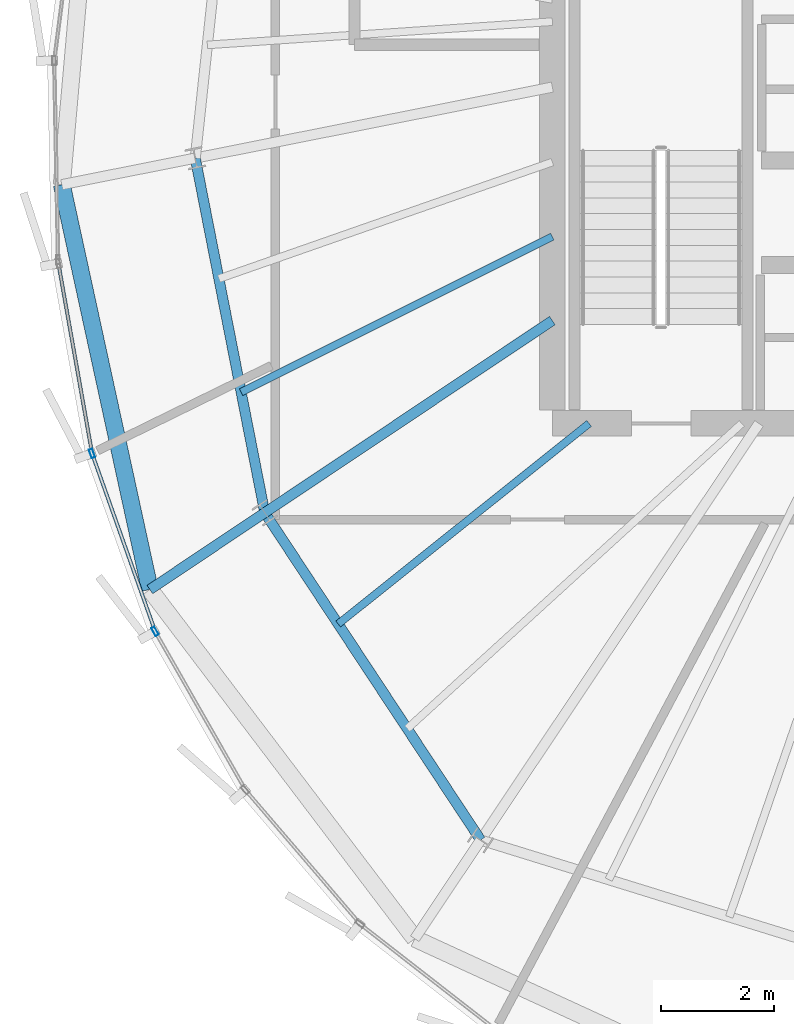
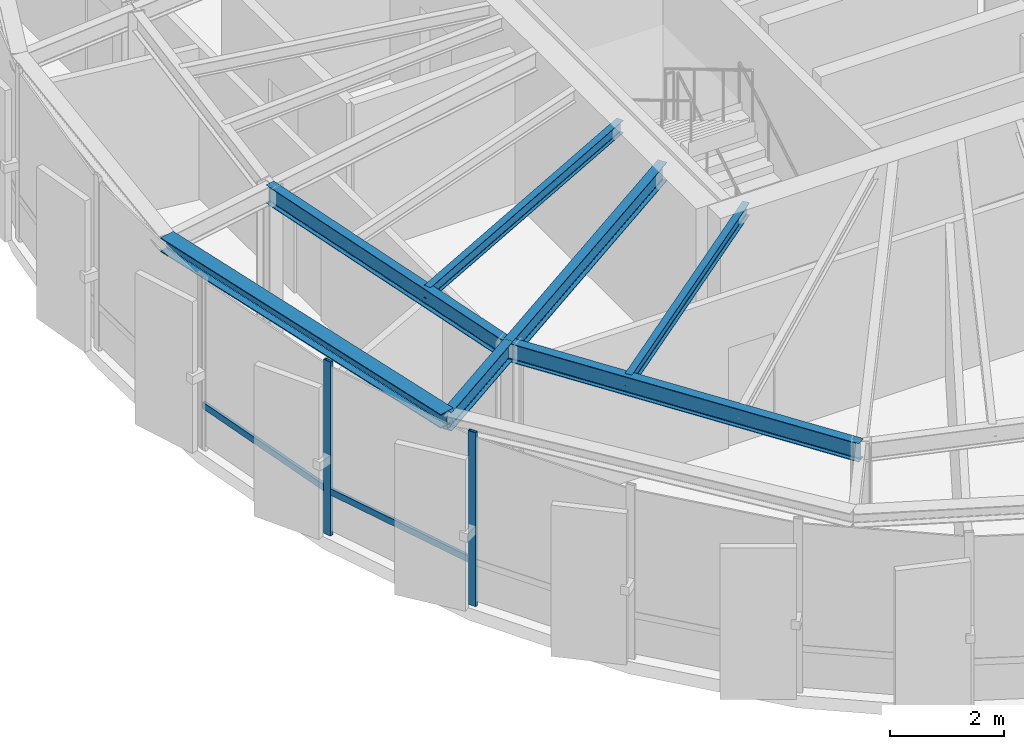
# One storey, part 4 of 26: 7 beams, 4 members, 1 element without a shape of its own.
"""IFC4 building model written with IfcOpenShell, lengths in metres."""

import ifcopenshell
import ifcopenshell.guid

model = None  # the IFC model being written
_history = None  # IfcOwnerHistory: only IFC2X3 demands one
_inside = {}  # id of a spatial element -> (the spatial element, [elements in it])
_under = {}  # id of a project, library or spatial element -> (it, [spatial elements below it])
_declared = {}  # id of a project -> (the project, [libraries it declares])
_typed = {}  # id of a type object -> (the type object, [elements of that type])
_made_of = {}  # id of a material, layer set ... -> (it, [elements and type objects made of it])


def new_model(schema):
    """Start an empty IFC model of exactly this schema.

    Asked for "IFC4X3", IfcOpenShell would pick the latest addendum, in which some entities
    have other attributes; the version numbers below select the first issue.
    IFC2X3 requires an IfcOwnerHistory on every rooted entity: one is made here for all.
    """
    global model, _history
    if schema == "IFC4X3":
        model = ifcopenshell.file(schema_version=(4, 3, 0, 0))
    else:
        model = ifcopenshell.file(schema=schema)
    _inside.clear()
    _under.clear()
    _declared.clear()
    _typed.clear()
    _made_of.clear()
    _history = None
    if model.schema == "IFC2X3":
        org = make("IfcOrganization", Name="unknown")
        user = make(
            "IfcPersonAndOrganization",
            ThePerson=make("IfcPerson", FamilyName="unknown"),
            TheOrganization=org,
        )
        app = make(
            "IfcApplication",
            ApplicationDeveloper=org,
            Version="unknown",
            ApplicationFullName="unknown",
            ApplicationIdentifier="unknown",
        )
        _history = make(
            "IfcOwnerHistory",
            OwningUser=user,
            OwningApplication=app,
            ChangeAction="ADDED",
            CreationDate=0,
        )
    return model


def make(cls, **values):
    """One entity of the class cls with the attributes given. An attribute that is None is left unset."""
    return model.create_entity(
        cls, **{name: value for name, value in values.items() if value is not None}
    )


def rooted(cls, **values):
    """An entity with a GlobalId (a new one), such as an element, a storey or a relation."""
    return make(cls, GlobalId=ifcopenshell.guid.new(), OwnerHistory=_history, **values)


def si_unit(unit_type, name, prefix=None):
    """IfcSIUnit, for example si_unit("LENGTHUNIT", "METRE", prefix="MILLI")."""
    return make("IfcSIUnit", UnitType=unit_type, Prefix=prefix, Name=name)


def assignment(units):
    """IfcUnitAssignment: the units of a project."""
    return None if units is None else make("IfcUnitAssignment", Units=units)


def point(xyz):
    """IfcCartesianPoint."""
    return None if xyz is None else make("IfcCartesianPoint", Coordinates=xyz)


def direction(xyz):
    """IfcDirection."""
    return None if xyz is None else make("IfcDirection", DirectionRatios=xyz)


def frame(location, z_axis=None, x_axis=None):
    """IfcAxis2Placement3D, a coordinate frame: its origin and axes. An axis left out is left unset."""
    return make(
        "IfcAxis2Placement3D",
        Location=point(location),
        Axis=direction(z_axis),
        RefDirection=direction(x_axis),
    )


def frame_2d(location, x_axis=None):
    """IfcAxis2Placement2D, a coordinate frame in the plane: its origin and x axis."""
    return make(
        "IfcAxis2Placement2D", Location=point(location), RefDirection=direction(x_axis)
    )


def origin():
    """The frame at (0, 0, 0) with its axes left unset."""
    return frame((0.0, 0.0, 0.0))


def origin_2d():
    """The frame at (0, 0) in the plane with its x axis left unset."""
    return frame_2d((0.0, 0.0))


def place(relative_to, where):
    """IfcLocalPlacement: puts the frame where relative to a parent placement (None: the world)."""
    return make(
        "IfcLocalPlacement", PlacementRelTo=relative_to, RelativePlacement=where
    )


def context(
    kind, dimensions, precision=None, world=None, true_north=None, identifier=None
):
    """IfcGeometricRepresentationContext, for example the 3D "Model" context."""
    return make(
        "IfcGeometricRepresentationContext",
        ContextIdentifier=identifier,
        ContextType=kind,
        CoordinateSpaceDimension=dimensions,
        Precision=precision,
        WorldCoordinateSystem=world,
        TrueNorth=true_north,
    )


def subcontext(parent, identifier, kind, view, scale=None):
    """IfcGeometricRepresentationSubContext, for example "Body" below "Model"."""
    return make(
        "IfcGeometricRepresentationSubContext",
        ContextIdentifier=identifier,
        ContextType=kind,
        ParentContext=parent,
        TargetScale=scale,
        TargetView=view,
    )


def project(units=None, contexts=None):
    """IfcProject with its units and contexts."""
    return rooted(
        "IfcProject",
        Name="project",
        RepresentationContexts=contexts,
        UnitsInContext=assignment(units),
    )


def spatial(cls, under=None, at=None, **own):
    """A site, building, storey or space (cls), placed at a placement, below another one or the project."""
    s = rooted(cls, ObjectPlacement=at, **own)
    if under is not None:
        _under.setdefault(under.id(), (under, []))[1].append(s)
    return s


def profile(cls, at=None, kind="AREA", **sizes):
    """A parametric profile (cls). Its sizes go by their IFC names, for example OverallWidth=200.0."""
    return make(cls, ProfileType=kind, Position=at, **sizes)


def hollow_rectangle(**sizes):
    """IfcRectangleHollowProfileDef."""
    return profile("IfcRectangleHollowProfileDef", **sizes)


def i_section(**sizes):
    """IfcIShapeProfileDef."""
    return profile("IfcIShapeProfileDef", **sizes)


def extrude(swept, where, along, depth):
    """IfcExtrudedAreaSolid: the profile swept, set in the frame where, extruded along a direction by depth."""
    return make(
        "IfcExtrudedAreaSolid",
        SweptArea=swept,
        Position=where,
        ExtrudedDirection=direction(along),
        Depth=depth,
    )


def shape(context_of_items, identifier, shape_type, items):
    """IfcShapeRepresentation: the items that make up one representation, for example the "Body"."""
    return make(
        "IfcShapeRepresentation",
        ContextOfItems=context_of_items,
        RepresentationIdentifier=identifier,
        RepresentationType=shape_type,
        Items=items,
    )


def source(mapping_origin, context_of_items, identifier, shape_type, items):
    """IfcRepresentationMap: a shape defined once, which mapped items show again and again."""
    return make(
        "IfcRepresentationMap",
        MappingOrigin=mapping_origin,
        MappedRepresentation=shape(context_of_items, identifier, shape_type, items),
    )


def transform(
    local_origin,
    x_axis=None,
    y_axis=None,
    z_axis=None,
    scale=None,
    scale2=None,
    scale3=None,
    uniform=True,
):
    """IfcCartesianTransformationOperator3D, or its non-uniform kind. x_axis, y_axis, z_axis: its Axis1, 2, 3."""
    if uniform:
        return make(
            "IfcCartesianTransformationOperator3D",
            Axis1=direction(x_axis),
            Axis2=direction(y_axis),
            LocalOrigin=point(local_origin),
            Scale=scale,
            Axis3=direction(z_axis),
        )
    return make(
        "IfcCartesianTransformationOperator3DnonUniform",
        Axis1=direction(x_axis),
        Axis2=direction(y_axis),
        LocalOrigin=point(local_origin),
        Scale=scale,
        Axis3=direction(z_axis),
        Scale2=scale2,
        Scale3=scale3,
    )


def mapped(mapping_source, mapping_target):
    """IfcMappedItem: shows the shape of a source again, moved by a transform."""
    return make(
        "IfcMappedItem", MappingSource=mapping_source, MappingTarget=mapping_target
    )


def material(Name=None, Category=None):
    """IfcMaterial."""
    return make("IfcMaterial", Name=Name, Category=Category)


def layer(
    of_material, thickness, ventilated=None, Name=None, Category=None, Priority=None
):
    """IfcMaterialLayer: one layer of a wall or slab, of a material (None: an air gap)."""
    return make(
        "IfcMaterialLayer",
        Material=of_material,
        LayerThickness=thickness,
        IsVentilated=ventilated,
        Name=Name,
        Category=Category,
        Priority=Priority,
    )


def layer_set(layers, Name=None):
    """IfcMaterialLayerSet."""
    return make("IfcMaterialLayerSet", MaterialLayers=layers, LayerSetName=Name)


def material_profile(
    of_material, cross_section, Name=None, Category=None, Priority=None
):
    """IfcMaterialProfile: a cross section and its material."""
    return make(
        "IfcMaterialProfile",
        Name=Name,
        Material=of_material,
        Profile=cross_section,
        Priority=Priority,
        Category=Category,
    )


def profile_set(profiles, Name=None, composite=None):
    """IfcMaterialProfileSet."""
    return make(
        "IfcMaterialProfileSet",
        Name=Name,
        MaterialProfiles=profiles,
        CompositeProfile=composite,
    )


def made_of(thing, what):
    """Note that an element or type object is made of a material, layer set ...; save() writes the relation."""
    if what is not None:
        _made_of.setdefault(what.id(), (what, []))[1].append(thing)
    return thing


def type_object(cls, material=None, **own):
    """A type object (cls), such as IfcWallType, which elements share."""
    return made_of(rooted(cls, **own), material)


def element(
    cls,
    number,
    at=None,
    inside=None,
    cuts=None,
    type_object=None,
    material=None,
    context=None,
    identifier="Body",
    shape_type=None,
    held_by="IfcProductDefinitionShape",
    body=None,
    shapes=None,
    **own,
):
    """One element of the class cls, such as IfcWall. Its Tag is "e" and its number.

    at: its placement. inside: the storey or other place that contains it. cuts: it is an
    opening in that element (IfcRelVoidsElement). A single representation is given by context,
    identifier, shape_type and body (its items); several are given by shapes. held_by: the class
    of the entity that holds the representations. save() writes the other relations.
    """
    e = rooted(cls, Tag="e%d" % number, ObjectPlacement=at, **own)
    if body is not None:
        shapes = [shape(context, identifier, shape_type, body)]
    if shapes is not None:
        e.Representation = make(held_by, Representations=shapes)
    if inside is not None:
        _inside.setdefault(inside.id(), (inside, []))[1].append(e)
    if cuts is not None:
        rooted(
            "IfcRelVoidsElement", RelatingBuildingElement=cuts, RelatedOpeningElement=e
        )
    if type_object is not None:
        _typed.setdefault(type_object.id(), (type_object, []))[1].append(e)
    return made_of(e, material)


def aggregate(whole, parts):
    """IfcRelAggregates: a whole, such as a stair, and the parts it consists of."""
    return rooted("IfcRelAggregates", RelatingObject=whole, RelatedObjects=parts)


def save(model, path):
    """Write the relations noted so far, then the file.

    IfcRelAggregates (storeys below a building ...), IfcRelContainedInSpatialStructure (elements
    in a storey), IfcRelDefinesByType, IfcRelAssociatesMaterial and IfcRelDeclares: one each for
    every whole, place, type object, material and project.
    """
    for whole, parts in _under.values():
        aggregate(whole, parts)
    for where, things in _inside.values():
        rooted(
            "IfcRelContainedInSpatialStructure",
            RelatedElements=things,
            RelatingStructure=where,
        )
    for kind, things in _typed.values():
        rooted("IfcRelDefinesByType", RelatedObjects=things, RelatingType=kind)
    for what, things in _made_of.values():
        rooted("IfcRelAssociatesMaterial", RelatedObjects=things, RelatingMaterial=what)
    for by, libraries in _declared.values():
        rooted("IfcRelDeclares", RelatingContext=by, RelatedDefinitions=libraries)
    model.write(path)


model = new_model("IFC4")

# Units and contexts
model_context = context("Model", 3, precision=1e-05, world=origin(), true_north=direction((0.0, 1.0)))
body_context = subcontext(model_context, "Body", "Model", "MODEL_VIEW")
ifc_project = project(units=[si_unit("LENGTHUNIT", "METRE"), si_unit("AREAUNIT", "SQUARE_METRE"), si_unit("VOLUMEUNIT", "CUBIC_METRE"), si_unit("PLANEANGLEUNIT", "RADIAN"), si_unit("MASSUNIT", "GRAM", prefix="KILO"), si_unit("THERMODYNAMICTEMPERATUREUNIT", "KELVIN")], contexts=[model_context])

# Site, building, storey
site_placement = place(None, origin())
site = spatial("IfcSite", under=ifc_project, at=site_placement, CompositionType="ELEMENT")
building_placement = place(site_placement, origin())
building = spatial("IfcBuilding", under=site, at=building_placement, Name="Kethvar Cultural Tower", CompositionType="ELEMENT")
storey_placement = place(building_placement, frame((0.0, 0.0, 316.300048828125)))
storey = spatial("IfcBuildingStorey", under=building, at=storey_placement, Name="L84", CompositionType="ELEMENT", Elevation=316.300048828125)

# Beams
ifc_material_1 = material(Name="Steel S355J2", Category="steel")
ifc_material_profile_1 = material_profile(ifc_material_1, i_section(OverallWidth=0.135009765625, OverallDepth=0.27001953125, WebThickness=0.006591796875, FlangeThickness=0.01025390625, FilletRadius=0.014892578125, at=origin_2d()), Name="Steel S355J2 — IPE270")
ifc_profile_set_1 = profile_set([ifc_material_profile_1], Name="Steel S355J2 — IPE270")
beam_type_1 = type_object("IfcBeamType", Name="BM-J270", PredefinedType="JOIST", material=ifc_profile_set_1)
shared_shape_1 = source(origin(), body_context, "Body", "SweptSolid", [
    extrude(i_section(OverallWidth=0.135009765625, OverallDepth=0.27001953125, WebThickness=0.006591796875, FlangeThickness=0.01025390625, FilletRadius=0.014892578125, at=origin_2d()), origin(), (0.0, 0.0, 1.0), 6.154052734375),
])
beam_1_placement = place(storey_placement, frame((38.0, 23.40380859375, 3.597900390625), z_axis=(-0.89458581954, -0.446896197655, 0.0), x_axis=(0.446896197655, -0.89458581954, 0.0)))
element("IfcBeam", 1, at=beam_1_placement, inside=storey, type_object=beam_type_1, Name="L84 Composite Floor Joist J-09B", PredefinedType="JOIST", context=body_context, shape_type="MappedRepresentation", body=[
    mapped(shared_shape_1, transform((0.0, 0.0, 0.0), scale=1.0)),
])
shared_shape_2 = source(origin(), body_context, "Body", "SweptSolid", [
    extrude(i_section(OverallWidth=0.135009765625, OverallDepth=0.27001953125, WebThickness=0.006591796875, FlangeThickness=0.01025390625, FilletRadius=0.014892578125, at=origin_2d()), origin(), (0.0, 0.0, 1.0), 5.68212890625),
])
beam_2_placement = place(storey_placement, frame((38.64990234375, 20.10009765625, 3.597900390625), z_axis=(-0.781157957733, -0.624333440615, 0.0), x_axis=(0.624333440615, -0.781157957733, 0.0)))
element("IfcBeam", 2, at=beam_2_placement, inside=storey, type_object=beam_type_1, Name="L84 Composite Floor Joist J-10A", PredefinedType="JOIST", context=body_context, shape_type="MappedRepresentation", body=[
    mapped(shared_shape_2, transform((0.0, 0.0, 0.0), scale=1.0)),
])
ifc_material_profile_2 = material_profile(ifc_material_1, i_section(OverallWidth=0.179931640625, OverallDepth=0.39990234375, WebThickness=0.008544921875, FlangeThickness=0.013427734375, FilletRadius=0.02099609375, at=origin_2d()), Name="Steel S355J2 — IPE400")
ifc_profile_set_2 = profile_set([ifc_material_profile_2], Name="Steel S355J2 — IPE400")
beam_type_2 = type_object("IfcBeamType", Name="BM-IPE400", PredefinedType="BEAM", material=ifc_profile_set_2)
shared_shape_3 = source(origin(), body_context, "Body", "SweptSolid", [
    extrude(i_section(OverallWidth=0.179931640625, OverallDepth=0.39990234375, WebThickness=0.008544921875, FlangeThickness=0.013427734375, FilletRadius=0.02099609375, at=origin_2d()), origin(), (0.0, 0.0, 1.0), 6.118408203125),
])
beam_3_placement = place(storey_placement, frame((38.0, 21.920166015625, 3.532958984375), z_axis=(-0.831466631282, -0.555574694406, 0.0), x_axis=(0.555574694406, -0.831466631282, 0.0)))
element("IfcBeam", 3, at=beam_3_placement, inside=storey, type_object=beam_type_2, Name="L84 Primary Radial Beam RB-10", PredefinedType="BEAM", context=body_context, shape_type="MappedRepresentation", body=[
    mapped(shared_shape_3, transform((0.0, 0.0, 0.0), scale=1.0)),
])
shared_shape_4 = source(origin(), body_context, "Body", "SweptSolid", [
    extrude(i_section(OverallWidth=0.179931640625, OverallDepth=0.39990234375, WebThickness=0.008544921875, FlangeThickness=0.013427734375, FilletRadius=0.02099609375, at=origin_2d()), origin(), (0.0, 0.0, 1.0), 6.391357421875),
])
beam_4_placement = place(storey_placement, frame((31.68310546875, 24.79296875, 3.532958984375), z_axis=(0.192405084368, -0.981315588131, 0.0), x_axis=(0.981315588131, 0.192405084368, 0.0)))
element("IfcBeam", 4, at=beam_4_placement, inside=storey, type_object=beam_type_2, Name="L84 Column Ring Tie Beam CR-09", PredefinedType="BEAM", context=body_context, shape_type="MappedRepresentation", body=[
    mapped(shared_shape_4, transform((0.0, 0.0, 0.0), scale=1.0)),
])
shared_shape_5 = source(origin(), body_context, "Body", "SweptSolid", [
    extrude(i_section(OverallWidth=0.179931640625, OverallDepth=0.39990234375, WebThickness=0.008544921875, FlangeThickness=0.013427734375, FilletRadius=0.02099609375, at=origin_2d()), origin(), (0.0, 0.0, 1.0), 6.935791015625),
])
beam_5_placement = place(storey_placement, frame((32.912841796875, 18.52099609375, 3.532958984375), z_axis=(0.550534204139, -0.834812607759, 0.0), x_axis=(0.834812607759, 0.550534204139, 0.0)))
element("IfcBeam", 5, at=beam_5_placement, inside=storey, type_object=beam_type_2, Name="L84 Column Ring Tie Beam CR-10", PredefinedType="BEAM", context=body_context, shape_type="MappedRepresentation", body=[
    mapped(shared_shape_5, transform((0.0, 0.0, 0.0), scale=1.0)),
])
shared_shape_6 = source(origin(), body_context, "Body", "SweptSolid", [
    extrude(i_section(OverallWidth=0.179931640625, OverallDepth=0.39990234375, WebThickness=0.008544921875, FlangeThickness=0.013427734375, FilletRadius=0.02099609375, at=origin_2d()), origin(), (0.0, 0.0, 1.0), 2.444091796875),
])
beam_6_placement = place(storey_placement, frame((32.912841796875, 18.52099609375, 3.532958984375), z_axis=(-0.831465873942, -0.555575827831, 0.0), x_axis=(0.555575827831, -0.831465873942, 0.0)))
element("IfcBeam", 6, at=beam_6_placement, inside=storey, type_object=beam_type_2, Name="L84 Perimeter Cantilever Beam RC-10", PredefinedType="BEAM", context=body_context, shape_type="MappedRepresentation", body=[
    mapped(shared_shape_6, transform((0.0, 0.0, 0.0), scale=1.0)),
])
ifc_material_profile_3 = material_profile(ifc_material_1, i_section(OverallWidth=0.300048828125, OverallDepth=0.300048828125, WebThickness=0.010986328125, FlangeThickness=0.01904296875, FilletRadius=0.027099609375, at=origin_2d()), Name="Steel S355J2 — HEB300")
ifc_profile_set_3 = profile_set([ifc_material_profile_3], Name="Steel S355J2 — HEB300")
beam_type_3 = type_object("IfcBeamType", Name="BM-SP300", PredefinedType="SPANDREL", material=ifc_profile_set_3)
shared_shape_7 = source(origin(), body_context, "Body", "SweptSolid", [
    extrude(i_section(OverallWidth=0.300048828125, OverallDepth=0.300048828125, WebThickness=0.010986328125, FlangeThickness=0.01904296875, FilletRadius=0.027099609375, at=origin_2d()), origin(), (0.0, 0.0, 1.0), 7.327880859375),
])
beam_7_placement = place(storey_placement, frame((29.322998046875, 24.323486328125, 3.5830078125), z_axis=(0.212561045227, -0.977147789258, 0.0), x_axis=(0.977147789258, 0.212561045227, 0.0)))
element("IfcBeam", 7, at=beam_7_placement, inside=storey, type_object=beam_type_3, Name="L84 Perimeter Spandrel Beam SP-09", PredefinedType="SPANDREL", context=body_context, shape_type="MappedRepresentation", body=[
    mapped(shared_shape_7, transform((0.0, 0.0, 0.0), scale=1.0)),
])

# Curtain wall, members
ifc_material_2 = material(Name="Aluminium 6063-T6", Category="aluminium")
ifc_layer = layer(ifc_material_2, 0.179931640625, Name="Aluminium 6063-T6", Category="aluminium")
ifc_layer_set = layer_set([ifc_layer], Name="Aluminium 6063-T6 (180 mm)")
curtain_wall_type = type_object("IfcCurtainWallType", Name="CW-SYS-06-CROWN", PredefinedType="NOTDEFINED", material=ifc_layer_set)
curtain_wall_placement = place(storey_placement, origin())
curtain_wall = element("IfcCurtainWall", 8, at=curtain_wall_placement, inside=storey, type_object=curtain_wall_type, Name="L84 Curtain Wall Run 03", PredefinedType="NOTDEFINED")
ifc_material_profile_4 = material_profile(ifc_material_2, hollow_rectangle(XDim=0.06494140625, YDim=0.159912109375, WallThickness=0.0048828125, at=origin_2d()), Name="Aluminium 6063-T6 — RHS160x65x5")
ifc_profile_set_4 = profile_set([ifc_material_profile_4], Name="Aluminium 6063-T6 — RHS160x65x5")
member_type_1 = type_object("IfcMemberType", Name="CW-SYS-06-CROWN-MUL", PredefinedType="MULLION", material=ifc_profile_set_4)
shared_shape_8 = source(origin(), body_context, "Body", "SweptSolid", [
    extrude(hollow_rectangle(XDim=0.06494140625, YDim=0.159912109375, WallThickness=0.0048828125, at=origin_2d()), origin(), (0.0, 0.0, 1.0), 3.73486328125),
])
member_1_placement = place(storey_placement, frame((29.85693359375, 19.570068359375, 0.0), z_axis=(0.0, 0.0, 1.0), x_axis=(0.942379029091, 0.334547105099, 0.0)))
member_1 = element("IfcMember", 9, at=member_1_placement, type_object=member_type_1, Name="CW-L84-R03 Mullion 2", PredefinedType="MULLION", context=body_context, shape_type="MappedRepresentation", body=[
    mapped(shared_shape_8, transform((0.0, 0.0, 0.0), scale=1.0)),
])
member_2_placement = place(storey_placement, frame((30.97265625, 16.421142578125, 0.0), z_axis=(0.0, 0.0, 1.0), x_axis=(0.868657455403, 0.495413186314, 0.0)))
member_2 = element("IfcMember", 10, at=member_2_placement, type_object=member_type_1, Name="CW-L84-R03 Mullion 3", PredefinedType="MULLION", context=body_context, shape_type="MappedRepresentation", body=[
    mapped(shared_shape_8, transform((0.0, 0.0, 0.0), scale=1.0)),
])
ifc_material_profile_5 = material_profile(ifc_material_2, hollow_rectangle(XDim=0.06005859375, YDim=0.139892578125, WallThickness=0.0048828125, at=origin_2d()), Name="Aluminium 6063-T6 — RHS140x60x5")
ifc_profile_set_5 = profile_set([ifc_material_profile_5], Name="Aluminium 6063-T6 — RHS140x60x5")
member_type_2 = type_object("IfcMemberType", Name="CW-SYS-06-CROWN-TRN", PredefinedType="USERDEFINED", material=ifc_profile_set_5)
shared_shape_9 = source(origin(), body_context, "Body", "SweptSolid", [
    extrude(hollow_rectangle(XDim=0.06005859375, YDim=0.139892578125, WallThickness=0.0048828125, at=origin_2d()), origin(), (0.0, 0.0, 1.0), 3.37939453125),
])
member_3_placement = place(storey_placement, frame((29.263671875, 22.92431640625, 0.949951171875), z_axis=(0.174617794106, -0.984636291217, 0.0), x_axis=(0.984636291217, 0.174617794106, 0.0)))
member_3 = element("IfcMember", 11, at=member_3_placement, type_object=member_type_2, Name="CW-L84-R03 Transom 1", ObjectType="TRANSOM", PredefinedType="USERDEFINED", context=body_context, shape_type="MappedRepresentation", body=[
    mapped(shared_shape_9, transform((0.0, 0.0, 0.0), scale=1.0)),
])
shared_shape_10 = source(origin(), body_context, "Body", "SweptSolid", [
    extrude(hollow_rectangle(XDim=0.06005859375, YDim=0.139892578125, WallThickness=0.0048828125, at=origin_2d()), origin(), (0.0, 0.0, 1.0), 3.26806640625),
])
member_4_placement = place(storey_placement, frame((29.87255859375, 19.52587890625, 0.949951171875), z_axis=(0.334523279181, -0.942387487017, 0.0), x_axis=(0.942387487017, 0.334523279181, 0.0)))
member_4 = element("IfcMember", 12, at=member_4_placement, type_object=member_type_2, Name="CW-L84-R03 Transom 2", ObjectType="TRANSOM", PredefinedType="USERDEFINED", context=body_context, shape_type="MappedRepresentation", body=[
    mapped(shared_shape_10, transform((0.0, 0.0, 0.0), scale=1.0)),
])
aggregate(curtain_wall, [member_1, member_2, member_3, member_4])

save(model, "model.ifc")
